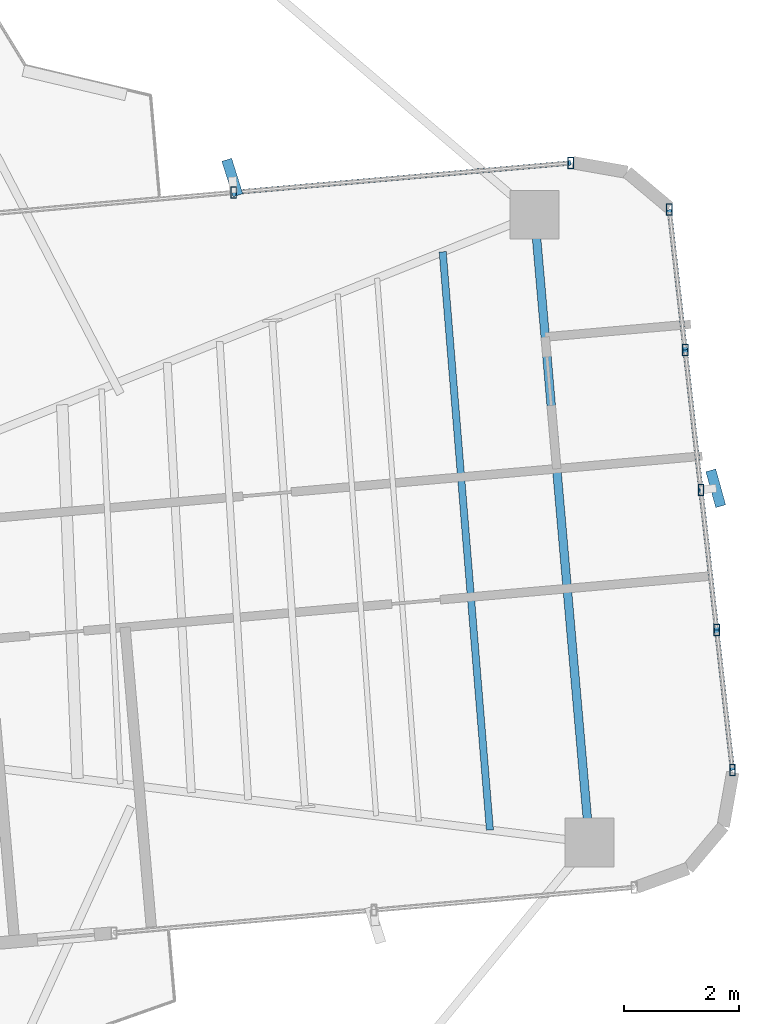
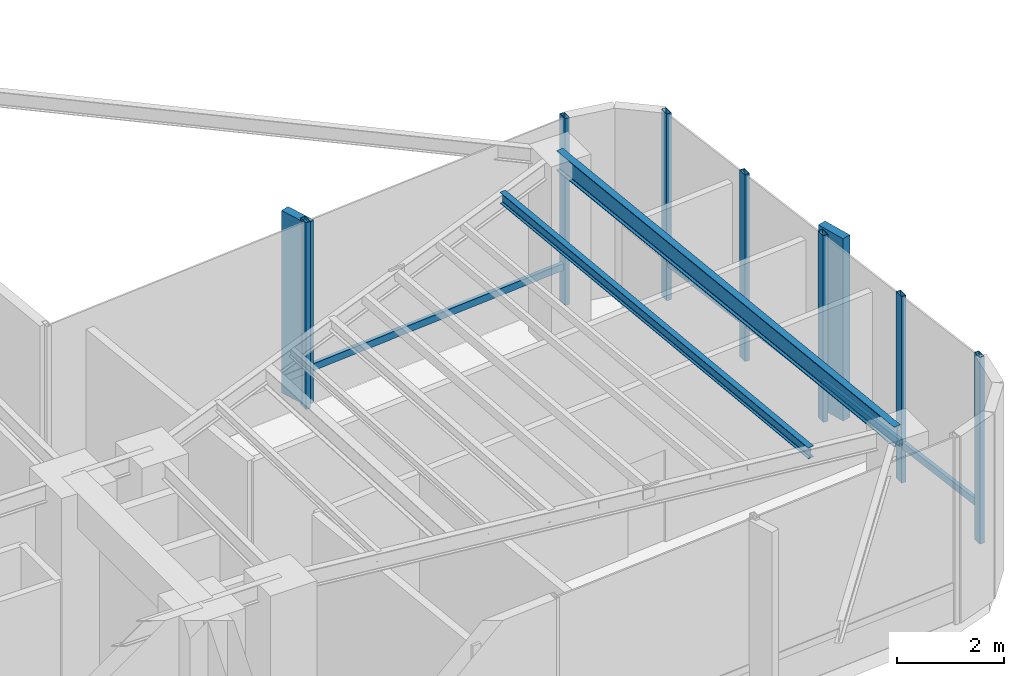
# One storey, part 9 of 19: 14 members, 2 beams, 2 elements without a shape of their own.
"""IFC4 building model written with IfcOpenShell, lengths in metres."""

from ifc_helpers import new_model, si_unit, direction, frame, origin, origin_2d, place, context, subcontext, project, spatial, rectangle, hollow_rectangle, i_section, extrude, source, transform, mapped, material, material_profile, profile_set, type_object, element, aggregate, save


model = new_model("IFC4")

# Units and contexts
model_context = context("Model", 3, precision=1e-05, world=origin(), true_north=direction((0.0, 1.0)))
body_context = subcontext(model_context, "Body", "Model", "MODEL_VIEW")
ifc_project = project(units=[si_unit("LENGTHUNIT", "METRE"), si_unit("AREAUNIT", "SQUARE_METRE"), si_unit("VOLUMEUNIT", "CUBIC_METRE"), si_unit("PLANEANGLEUNIT", "RADIAN"), si_unit("MASSUNIT", "GRAM", prefix="KILO")], contexts=[model_context])

# Site, building, storey
site_placement = place(None, origin())
site = spatial("IfcSite", under=ifc_project, at=site_placement, CompositionType="ELEMENT")
building_placement = place(site_placement, origin())
building = spatial("IfcBuilding", under=site, at=building_placement, Name="Sahyath Konkavel Grand Hotel", CompositionType="ELEMENT")
storey_placement = place(building_placement, frame((0.0, 0.0, 142.75)))
storey = spatial("IfcBuildingStorey", under=building, at=storey_placement, Name="L39", CompositionType="ELEMENT", Elevation=142.75)

# Beams
ifc_material_1 = material(Name="Steel E350", Category="steel")
ifc_material_profile_1 = material_profile(ifc_material_1, i_section(OverallWidth=0.14990234375, OverallDepth=0.449951171875, WebThickness=0.009521484375, FlangeThickness=0.017333984375, FilletRadius=0.014892578125, at=origin_2d()), Name="ISMB 450")
ifc_profile_set_1 = profile_set([ifc_material_profile_1], Name="Steel E350")
beam_type_1 = type_object("IfcBeamType", Name="BM-ISMB450", PredefinedType="BEAM", material=ifc_profile_set_1)
shared_shape_1 = source(origin(), body_context, "Body", "SweptSolid", [
    extrude(i_section(OverallWidth=0.14990234375, OverallDepth=0.449951171875, WebThickness=0.009521484375, FlangeThickness=0.017333984375, FilletRadius=0.014892578125, at=origin_2d()), origin(), (0.0, 0.0, 1.0), 11.0),
])
beam_1_placement = place(storey_placement, frame((17.912841796875, -3.953857421875, 4.034912109375), z_axis=(-0.087157314015, 0.996194560622, 0.0), x_axis=(-0.996194560622, -0.087157314015, 0.0)))
element("IfcBeam", 1, at=beam_1_placement, inside=storey, type_object=beam_type_1, Name="L39 Wing Tip Edge Beam E", PredefinedType="BEAM", context=body_context, shape_type="MappedRepresentation", body=[
    mapped(shared_shape_1, transform((0.0, 0.0, 0.0), scale=1.0)),
])
ifc_material_profile_2 = material_profile(ifc_material_1, i_section(OverallWidth=0.125, OverallDepth=0.25, WebThickness=0.0068359375, FlangeThickness=0.012451171875, FilletRadius=0.012939453125, at=origin_2d()), Name="ISMB 250")
ifc_profile_set_2 = profile_set([ifc_material_profile_2], Name="Steel E350")
beam_type_2 = type_object("IfcBeamType", Name="BM-ISMB250", PredefinedType="BEAM", material=ifc_profile_set_2)
shared_shape_2 = source(origin(), body_context, "Body", "SweptSolid", [
    extrude(i_section(OverallWidth=0.125, OverallDepth=0.25, WebThickness=0.0068359375, FlangeThickness=0.012451171875, FilletRadius=0.012939453125, at=origin_2d()), origin(), (0.0, 0.0, 1.0), 10.129638671875),
])
beam_2_placement = place(storey_placement, frame((16.175048828125, -3.736328125, 4.135009765625), z_axis=(-0.081391815092, 0.996682182261, 0.0), x_axis=(-0.996682182261, -0.081391815092, 0.0)))
element("IfcBeam", 2, at=beam_2_placement, inside=storey, type_object=beam_type_2, Name="L39 Composite Deck Sub-Beam E-6", PredefinedType="BEAM", context=body_context, shape_type="MappedRepresentation", body=[
    mapped(shared_shape_2, transform((0.0, 0.0, 0.0), scale=1.0)),
])

# Curtain wall, members
ifc_material_2 = material(Name="Anodised Bronze Aluminium & Low-E Glazing", Category="aluminium")
curtain_wall_type = type_object("IfcCurtainWallType", Name="CW-SKYLOBBY", PredefinedType="NOTDEFINED", material=ifc_material_2)
curtain_wall_1_placement = place(storey_placement, origin())
curtain_wall_1 = element("IfcCurtainWall", 3, at=curtain_wall_1_placement, inside=storey, type_object=curtain_wall_type, Name="L39 Unitised Curtain Wall F4", PredefinedType="NOTDEFINED")
ifc_material_3 = material(Name="Anodised Bronze Aluminium", Category="aluminium")
ifc_material_profile_3 = material_profile(ifc_material_3, hollow_rectangle(XDim=0.10009765625, YDim=0.199951171875, WallThickness=0.008056640625, at=origin_2d()), Name="RHS 200x100x8")
ifc_profile_set_3 = profile_set([ifc_material_profile_3], Name="Anodised Bronze Aluminium")
member_type_1 = type_object("IfcMemberType", Name="CW-MUL-200", PredefinedType="MULLION", material=ifc_profile_set_3)
shared_shape_3 = source(origin(), body_context, "Body", "SweptSolid", [
    extrude(hollow_rectangle(XDim=0.10009765625, YDim=0.199951171875, WallThickness=0.008056640625, at=origin_2d()), origin(), (0.0, 0.0, 1.0), 4.260009765625),
])
member_1_placement = place(storey_placement, frame((20.4111328125, -2.69140625, 0.0), z_axis=(0.0, 0.0, 1.0), x_axis=(1.0, 0.0, 0.0)))
member_1 = element("IfcMember", 4, at=member_1_placement, type_object=member_type_1, Name="L39 Curtain Wall Mullion F4-0", PredefinedType="MULLION", context=body_context, shape_type="MappedRepresentation", body=[
    mapped(shared_shape_3, transform((0.0, 0.0, 0.0), scale=1.0)),
])
member_2_placement = place(storey_placement, frame((20.135498046875, -0.24462890625, 0.0), z_axis=(0.0, 0.0, 1.0), x_axis=(1.0, 0.0, 0.0)))
member_2 = element("IfcMember", 5, at=member_2_placement, type_object=member_type_1, Name="L39 Curtain Wall Mullion F4-1", PredefinedType="MULLION", context=body_context, shape_type="MappedRepresentation", body=[
    mapped(shared_shape_3, transform((0.0, 0.0, 0.0), scale=1.0)),
])
member_3_placement = place(storey_placement, frame((19.859619140625, 2.201904296875, 0.0), z_axis=(0.0, 0.0, 1.0), x_axis=(1.0, 0.0, 0.0)))
member_3 = element("IfcMember", 6, at=member_3_placement, type_object=member_type_1, Name="L39 Curtain Wall Mullion F4-2", PredefinedType="MULLION", context=body_context, shape_type="MappedRepresentation", body=[
    mapped(shared_shape_3, transform((0.0, 0.0, 0.0), scale=1.0)),
])
member_4_placement = place(storey_placement, frame((19.583984375, 4.648193359375, 0.0), z_axis=(0.0, 0.0, 1.0), x_axis=(1.0, 0.0, 0.0)))
member_4 = element("IfcMember", 7, at=member_4_placement, type_object=member_type_1, Name="L39 Curtain Wall Mullion F4-3", PredefinedType="MULLION", context=body_context, shape_type="MappedRepresentation", body=[
    mapped(shared_shape_3, transform((0.0, 0.0, 0.0), scale=1.0)),
])
member_5_placement = place(storey_placement, frame((19.308349609375, 7.094970703125, 0.0), z_axis=(0.0, 0.0, 1.0), x_axis=(1.0, 0.0, 0.0)))
member_5 = element("IfcMember", 8, at=member_5_placement, type_object=member_type_1, Name="L39 Curtain Wall Mullion F4-4", PredefinedType="MULLION", context=body_context, shape_type="MappedRepresentation", body=[
    mapped(shared_shape_3, transform((0.0, 0.0, 0.0), scale=1.0)),
])

curtain_wall_2_placement = place(storey_placement, origin())
curtain_wall_2 = element("IfcCurtainWall", 9, at=curtain_wall_2_placement, inside=storey, type_object=curtain_wall_type, Name="L39 Unitised Curtain Wall F7", PredefinedType="NOTDEFINED")
member_6_placement = place(storey_placement, frame((17.58740234375, 7.912841796875, 0.0), z_axis=(0.0, 0.0, 1.0), x_axis=(1.0, 0.0, 0.0)))
member_6 = element("IfcMember", 10, at=member_6_placement, type_object=member_type_1, Name="L39 Curtain Wall Mullion F7-0", PredefinedType="MULLION", context=body_context, shape_type="MappedRepresentation", body=[
    mapped(shared_shape_3, transform((0.0, 0.0, 0.0), scale=1.0)),
])
member_7_placement = place(storey_placement, frame((11.69970703125, 7.39794921875, 0.0), z_axis=(0.0, 0.0, 1.0), x_axis=(1.0, 0.0, 0.0)))
member_7 = element("IfcMember", 11, at=member_7_placement, type_object=member_type_1, Name="L39 Curtain Wall Mullion F7-1", PredefinedType="MULLION", context=body_context, shape_type="MappedRepresentation", body=[
    mapped(shared_shape_3, transform((0.0, 0.0, 0.0), scale=1.0)),
])

# Member
ifc_material_4 = material(Name="Warm Buff Sandstone Cladding on Concrete C50/60", Category="masonry")
ifc_material_profile_4 = material_profile(ifc_material_4, rectangle(XDim=0.179931640625, YDim=0.64990234375, at=origin_2d()), Name="FIN 180x650")
ifc_profile_set_4 = profile_set([ifc_material_profile_4], Name="Warm Buff Sandstone Cladding on Concrete C50/60")
member_type_2 = type_object("IfcMemberType", Name="FIN-SANDSTONE-650", PredefinedType="MULLION", material=ifc_profile_set_4)
shared_shape_4 = source(origin(), body_context, "Body", "SweptSolid", [
    extrude(rectangle(XDim=0.179931640625, YDim=0.64990234375, at=origin_2d()), origin(), (0.0, 0.0, 1.0), 4.159912109375),
])
member_8_placement = place(storey_placement, frame((20.1181640625, 2.23095703125, 0.050048828125), z_axis=(0.0, 0.0, 1.0), x_axis=(0.963677080427, 0.267070186767, 0.0)))
member_8 = element("IfcMember", 12, at=member_8_placement, type_object=member_type_2, Name="L39 Sandstone Vertical Solar Fin FIN F4-2", PredefinedType="MULLION", context=body_context, shape_type="MappedRepresentation", body=[
    mapped(shared_shape_4, transform((0.0, 0.0, 0.0), scale=1.0)),
])

member_9_placement = place(storey_placement, frame((11.677001953125, 7.656982421875, 0.050048828125), z_axis=(0.0, 0.0, 1.0), x_axis=(0.954083620326, 0.299540390309, 0.0)))
member_9 = element("IfcMember", 13, at=member_9_placement, type_object=member_type_2, Name="L39 Sandstone Vertical Solar Fin FIN F7-1", PredefinedType="MULLION", context=body_context, shape_type="MappedRepresentation", body=[
    mapped(shared_shape_4, transform((0.0, 0.0, 0.0), scale=1.0)),
])

ifc_material_profile_5 = material_profile(ifc_material_3, hollow_rectangle(XDim=0.080078125, YDim=0.159912109375, WallThickness=0.006103515625, at=origin_2d()), Name="RHS 160x80x6")
ifc_profile_set_5 = profile_set([ifc_material_profile_5], Name="Anodised Bronze Aluminium")
member_type_3 = type_object("IfcMemberType", Name="CW-TRN-160", PredefinedType="USERDEFINED", material=ifc_profile_set_5)
shared_shape_5 = source(origin(), body_context, "Body", "SweptSolid", [
    extrude(hollow_rectangle(XDim=0.080078125, YDim=0.159912109375, WallThickness=0.006103515625, at=origin_2d()), origin(), (0.0, 0.0, 1.0), 2.462158203125),
])
member_10_placement = place(storey_placement, frame((20.4111328125, -2.69140625, 0.85009765625), z_axis=(-0.11194409079, 0.993714506555, 0.0), x_axis=(-0.993714506555, -0.11194409079, 0.0)))
member_10 = element("IfcMember", 14, at=member_10_placement, type_object=member_type_3, Name="L39 Curtain Wall Transom F4-0-spandrel", ObjectType="TRANSOM", PredefinedType="USERDEFINED", context=body_context, shape_type="MappedRepresentation", body=[
    mapped(shared_shape_5, transform((0.0, 0.0, 0.0), scale=1.0)),
])

member_11_placement = place(storey_placement, frame((20.135498046875, -0.24462890625, 0.85009765625), z_axis=(-0.112053040279, 0.99370222711, 0.0), x_axis=(-0.99370222711, -0.112053040279, 0.0)))
member_11 = element("IfcMember", 15, at=member_11_placement, type_object=member_type_3, Name="L39 Curtain Wall Transom F4-1-spandrel", ObjectType="TRANSOM", PredefinedType="USERDEFINED", context=body_context, shape_type="MappedRepresentation", body=[
    mapped(shared_shape_5, transform((0.0, 0.0, 0.0), scale=1.0)),
])

member_12_placement = place(storey_placement, frame((19.583984375, 4.648193359375, 0.85009765625), z_axis=(-0.11194409079, 0.993714506555, 0.0), x_axis=(-0.993714506555, -0.11194409079, 0.0)))
member_12 = element("IfcMember", 16, at=member_12_placement, type_object=member_type_3, Name="L39 Curtain Wall Transom F4-3-spandrel", ObjectType="TRANSOM", PredefinedType="USERDEFINED", context=body_context, shape_type="MappedRepresentation", body=[
    mapped(shared_shape_5, transform((0.0, 0.0, 0.0), scale=1.0)),
])

shared_shape_6 = source(origin(), body_context, "Body", "SweptSolid", [
    extrude(hollow_rectangle(XDim=0.080078125, YDim=0.159912109375, WallThickness=0.006103515625, at=origin_2d()), origin(), (0.0, 0.0, 1.0), 2.461669921875),
])
member_13_placement = place(storey_placement, frame((19.859619140625, 2.201904296875, 0.85009765625), z_axis=(-0.111966154832, 0.993712020744, 0.0), x_axis=(-0.993712020744, -0.111966154832, 0.0)))
member_13 = element("IfcMember", 17, at=member_13_placement, type_object=member_type_3, Name="L39 Curtain Wall Transom F4-2-spandrel", ObjectType="TRANSOM", PredefinedType="USERDEFINED", context=body_context, shape_type="MappedRepresentation", body=[
    mapped(shared_shape_6, transform((0.0, 0.0, 0.0), scale=1.0)),
])

aggregate(curtain_wall_1, [member_1, member_2, member_3, member_8, member_4, member_5, member_10, member_11, member_13, member_12])

shared_shape_7 = source(origin(), body_context, "Body", "SweptSolid", [
    extrude(hollow_rectangle(XDim=0.080078125, YDim=0.159912109375, WallThickness=0.006103515625, at=origin_2d()), origin(), (0.0, 0.0, 1.0), 5.91015625),
])
member_14_placement = place(storey_placement, frame((17.58740234375, 7.912841796875, 0.85009765625), z_axis=(-0.996197841474, -0.087119806256, 0.0), x_axis=(0.087119806256, -0.996197841474, 0.0)))
member_14 = element("IfcMember", 18, at=member_14_placement, type_object=member_type_3, Name="L39 Curtain Wall Transom F7-0-spandrel", ObjectType="TRANSOM", PredefinedType="USERDEFINED", context=body_context, shape_type="MappedRepresentation", body=[
    mapped(shared_shape_7, transform((0.0, 0.0, 0.0), scale=1.0)),
])

aggregate(curtain_wall_2, [member_6, member_7, member_9, member_14])

save(model, "model.ifc")
